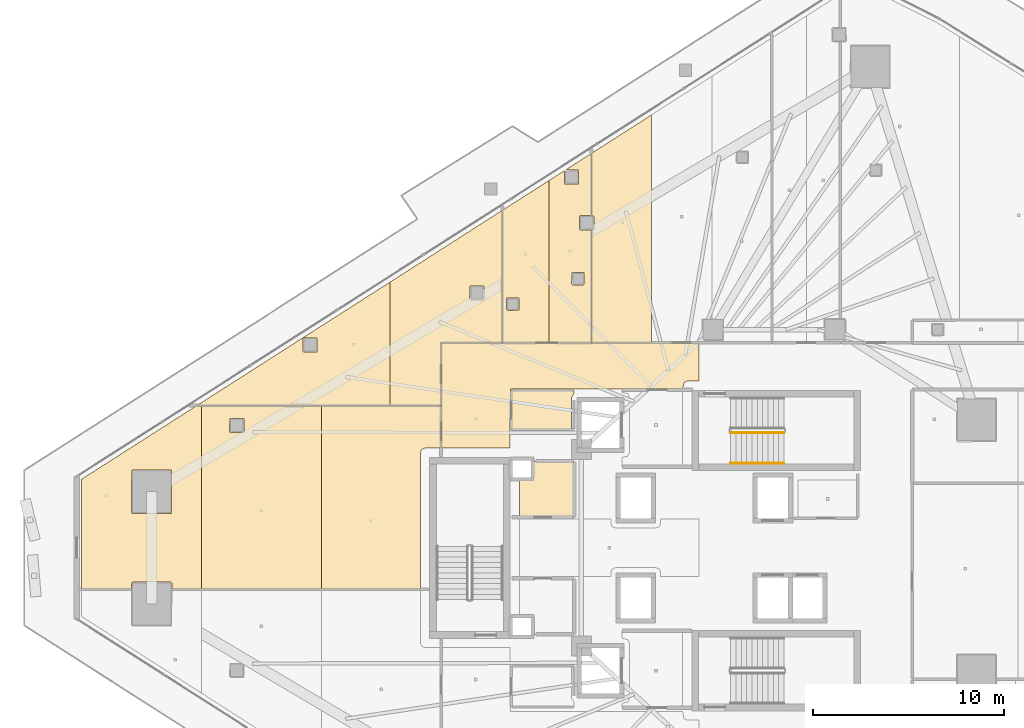
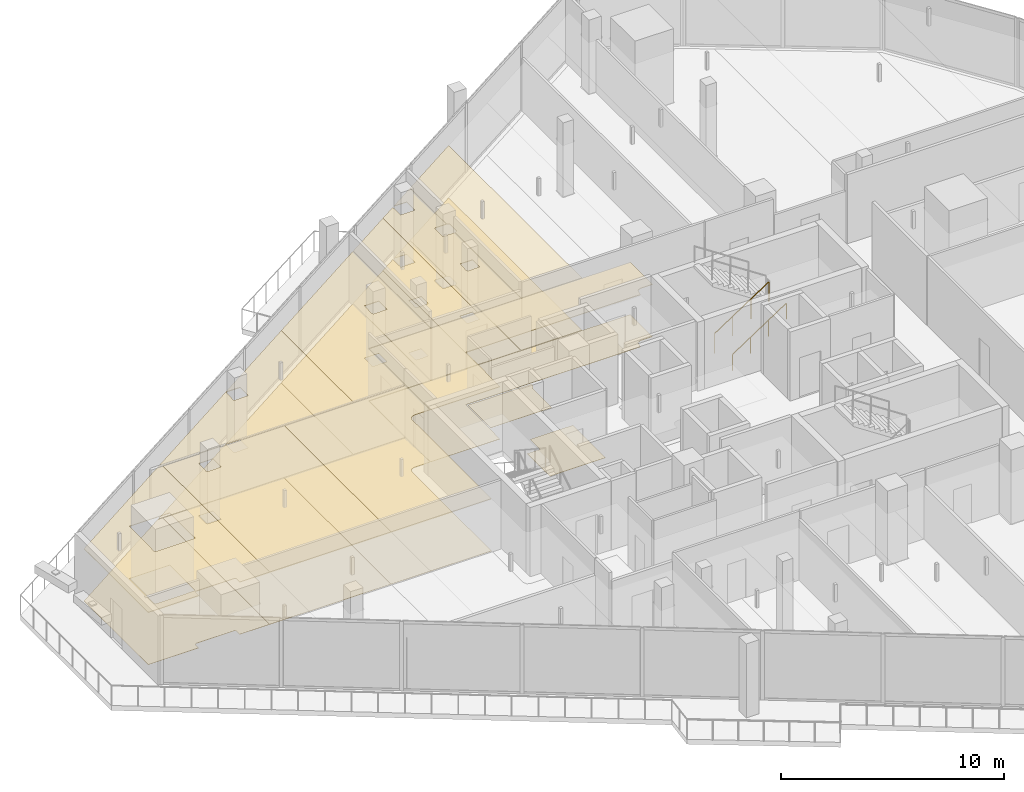
# One storey, part 36 of 39: 20 coverings, 2 railings.
"""IFC4 building model written with IfcOpenShell, lengths in metres."""

from ifc_helpers import new_model, si_unit, direction, frame, origin, origin_2d, place, context, subcontext, project, spatial, polyline, circle, outline, extrude, material, layer, layer_set, type_object, element, save


model = new_model("IFC4")

# Units and contexts
model_context = context("Model", 3, precision=1e-05, world=origin(), true_north=direction((0.0, 1.0)))
body_context = subcontext(model_context, "Body", "Model", "MODEL_VIEW")
ifc_project = project(units=[si_unit("LENGTHUNIT", "METRE"), si_unit("AREAUNIT", "SQUARE_METRE"), si_unit("VOLUMEUNIT", "CUBIC_METRE"), si_unit("PLANEANGLEUNIT", "RADIAN"), si_unit("MASSUNIT", "GRAM", prefix="KILO")], contexts=[model_context])

# Site, building, storey
site_placement = place(None, origin())
site = spatial("IfcSite", under=ifc_project, at=site_placement, CompositionType="ELEMENT")
building_placement = place(site_placement, origin())
building = spatial("IfcBuilding", under=site, at=building_placement, Name="Qorvath Tower", CompositionType="ELEMENT")
storey_placement = place(building_placement, frame((0.0, 0.0, 142.199951171875)))
storey = spatial("IfcBuildingStorey", under=building, at=storey_placement, Name="L32", CompositionType="ELEMENT", Elevation=142.199951171875)

# Coverings
ifc_material_1 = material(Name="Acoustic mineral fibre ceiling tile", Category="gypsum")
ifc_layer_1 = layer(ifc_material_1, 0.030029296875)
ifc_layer_set_1 = layer_set([ifc_layer_1], Name="COV-CEIL")
covering_type_1 = type_object("IfcCoveringType", Name="COV-CEIL", PredefinedType="CEILING", material=ifc_layer_set_1)
covering_1_placement = place(storey_placement, frame((0.0, 0.0, 2.85009765625)))
element("IfcCovering", 1, at=covering_1_placement, inside=storey, type_object=covering_type_1, Name="L32 Suspended Acoustic Ceiling 009", PredefinedType="CEILING", context=body_context, shape_type="SweptSolid", body=[
    extrude(outline(polyline([(-24.32080078125, 8.75), (-24.32080078125, 10.7451171875), (-37.844970703125, 10.7451171875), (-37.844970703125, 5.239990234375), (-34.2509765625, 5.239990234375), (-34.219970703125, 8.324951171875), (-25.18994140625, 8.324951171875), (-25.11669921875, 8.6767578125), (-24.93994140625, 8.75), (-24.32080078125, 8.75)])), origin(), (0.0, 0.0, 1.0), 0.030029296875),
])
covering_2_placement = place(storey_placement, frame((0.0, 0.0, 2.85009765625)))
element("IfcCovering", 2, at=covering_2_placement, inside=storey, type_object=covering_type_1, Name="L32 Suspended Acoustic Ceiling 011", PredefinedType="CEILING", context=body_context, shape_type="SweptSolid", body=[
    extrude(outline(polyline([(-32.213134765625, 10.762939453125), (-32.213134765625, 19.26708984375), (-34.64501953125, 17.715087890625), (-34.64501953125, 10.762939453125), (-32.213134765625, 10.762939453125)]), holes=[polyline([(-34.439208984375, 12.517578125), (-34.421630859375, 13.10986328125), (-33.786865234375, 13.10986328125), (-33.786865234375, 12.47509765625), (-34.379150390625, 12.45751953125), (-34.439208984375, 12.517578125)])]), origin(), (0.0, 0.0, 1.0), 0.030029296875),
])
covering_3_placement = place(storey_placement, frame((0.0, 0.0, 2.85009765625)))
element("IfcCovering", 3, at=covering_3_placement, inside=storey, type_object=covering_type_1, Name="L32 Suspended Acoustic Ceiling 012", PredefinedType="CEILING", context=body_context, shape_type="SweptSolid", body=[
    extrude(outline(polyline([(-31.401123046875, 19.785400390625), (-32.213134765625, 19.26708984375), (-32.213134765625, 10.762939453125), (-29.98388671875, 10.762939453125), (-29.98388671875, 16.674560546875), (-30.59228515625, 16.692138671875), (-30.60986328125, 17.384521484375), (-30.5498046875, 17.444580078125), (-29.98388671875, 17.444580078125), (-29.98388671875, 20.694091796875), (-31.31201171875, 19.845458984375), (-30.648681640625, 19.827880859375), (-30.648681640625, 19.093017578125), (-31.383544921875, 19.093017578125), (-31.401123046875, 19.785400390625)]), holes=[polyline([(-31.01220703125, 13.849365234375), (-30.99462890625, 14.441650390625), (-30.35986328125, 14.441650390625), (-30.35986328125, 13.806884765625), (-30.9521484375, 13.789306640625), (-31.01220703125, 13.849365234375)])]), origin(), (0.0, 0.0, 1.0), 0.030029296875),
])
covering_4_placement = place(storey_placement, frame((0.0, 0.0, 2.85009765625)))
element("IfcCovering", 4, at=covering_4_placement, inside=storey, type_object=covering_type_1, Name="L32 Suspended Acoustic Ceiling 013", PredefinedType="CEILING", context=body_context, shape_type="SweptSolid", body=[
    extrude(outline(polyline([(-26.81201171875, 10.762939453125), (-26.81201171875, 22.72314453125), (-29.9658203125, 20.705810546875), (-29.9658203125, 17.444580078125), (-29.83984375, 17.384521484375), (-29.83984375, 16.734619140625), (-29.9658203125, 16.674560546875), (-29.9658203125, 10.762939453125), (-26.81201171875, 10.762939453125)])), origin(), (0.0, 0.0, 1.0), 0.030029296875),
])
covering_5_placement = place(storey_placement, frame((0.0, 0.0, 2.85009765625)))
element("IfcCovering", 5, at=covering_5_placement, inside=storey, type_object=covering_type_1, Name="L32 Suspended Acoustic Ceiling 043", PredefinedType="CEILING", context=body_context, shape_type="SweptSolid", body=[
    extrude(outline(polyline([(-50.441162109375, -2.15087890625), (-50.441162109375, 7.45458984375), (-50.698974609375, 7.45458984375), (-56.72998046875, 3.599853515625), (-56.72998046875, -2.15087890625), (-54.109375, -2.15087890625), (-54.109375, -1.850830078125), (-54.04931640625, -1.790771484375), (-52.04931640625, -1.790771484375), (-51.989501953125, -1.850830078125), (-51.989501953125, -2.15087890625), (-50.441162109375, -2.15087890625)]), holes=[polyline([(-54.109375, 1.850830078125), (-54.091796875, 4.09326171875), (-52.007080078125, 4.09326171875), (-52.007080078125, 1.808349609375), (-54.04931640625, 1.790771484375), (-54.109375, 1.850830078125)])]), origin(), (0.0, 0.0, 1.0), 0.030029296875),
])
covering_6_placement = place(storey_placement, frame((0.0, 0.0, 2.85009765625)))
element("IfcCovering", 6, at=covering_6_placement, inside=storey, type_object=covering_type_1, Name="L32 Suspended Acoustic Ceiling 044", PredefinedType="CEILING", context=body_context, shape_type="SweptSolid", body=[
    extrude(outline(polyline([(-44.152099609375, -2.15087890625), (-44.152099609375, 7.45458984375), (-50.441162109375, 7.45458984375), (-50.441162109375, -2.15087890625), (-44.152099609375, -2.15087890625)]), holes=[polyline([(-48.96337890625, 6.099609375), (-48.94580078125, 6.7919921875), (-48.2109375, 6.7919921875), (-48.2109375, 6.05712890625), (-48.9033203125, 6.03955078125), (-48.96337890625, 6.099609375)])]), origin(), (0.0, 0.0, 1.0), 0.030029296875),
])
covering_7_placement = place(storey_placement, frame((0.0, 0.0, 2.85009765625)))
element("IfcCovering", 7, at=covering_7_placement, inside=storey, type_object=covering_type_1, Name="L32 Suspended Acoustic Ceiling 045", PredefinedType="CEILING", context=body_context, shape_type="SweptSolid", body=[
    extrude(outline(polyline([(-37.863037109375, 5.239990234375), (-37.863037109375, 7.45458984375), (-44.152099609375, 7.45458984375), (-44.152099609375, -2.15087890625), (-38.949951171875, -2.15087890625), (-38.949951171875, 4.989990234375), (-38.876708984375, 5.166748046875), (-38.699951171875, 5.239990234375), (-37.863037109375, 5.239990234375)])), origin(), (0.0, 0.0, 1.0), 0.030029296875),
])
covering_8_placement = place(storey_placement, frame((0.0, 0.0, 2.85009765625)))
element("IfcCovering", 8, at=covering_8_placement, inside=storey, type_object=covering_type_1, Name="L32 Suspended Acoustic Ceiling 046", PredefinedType="CEILING", context=body_context, shape_type="SweptSolid", body=[
    extrude(outline(polyline([(-40.552734375, 7.47265625), (-40.552734375, 13.939208984375), (-50.6708984375, 7.47265625), (-40.552734375, 7.47265625)]), holes=[polyline([(-45.121337890625, 10.327392578125), (-45.103759765625, 11.019775390625), (-44.368896484375, 11.019775390625), (-44.368896484375, 10.284912109375), (-45.061279296875, 10.267333984375), (-45.121337890625, 10.327392578125)])]), origin(), (0.0, 0.0, 1.0), 0.030029296875),
])
covering_9_placement = place(storey_placement, frame((0.0, 0.0, 2.85009765625)))
element("IfcCovering", 9, at=covering_9_placement, inside=storey, type_object=covering_type_1, Name="L32 Suspended Acoustic Ceiling 047", PredefinedType="CEILING", context=body_context, shape_type="SweptSolid", body=[
    extrude(outline(polyline([(-37.85791015625, 10.762939453125), (-34.6630859375, 10.762939453125), (-34.6630859375, 17.70361328125), (-40.552734375, 13.939208984375), (-40.552734375, 7.47265625), (-37.863037109375, 7.47265625), (-37.85791015625, 10.762939453125)]), holes=[polyline([(-36.36572265625, 13.055908203125), (-36.34814453125, 13.748291015625), (-35.61328125, 13.748291015625), (-35.61328125, 13.013427734375), (-36.3056640625, 12.995849609375), (-36.36572265625, 13.055908203125)])]), origin(), (0.0, 0.0, 1.0), 0.030029296875),
])
ifc_material_2 = material(Name="Low-VOC modular carpet tile", Category="textile")
ifc_layer_2 = layer(ifc_material_2, 0.014892578125)
ifc_layer_set_2 = layer_set([ifc_layer_2], Name="COV-FLOOR-CPT")
covering_type_2 = type_object("IfcCoveringType", Name="COV-FLOOR-CPT", PredefinedType="FLOORING", material=ifc_layer_set_2)
covering_10_placement = place(storey_placement, origin())
element("IfcCovering", 10, at=covering_10_placement, inside=storey, type_object=covering_type_2, Name="L32 Floor Finish 005", PredefinedType="FLOORING", context=body_context, shape_type="SweptSolid", body=[
    extrude(outline(polyline([(-33.760009765625, 3.636962890625), (-33.760009765625, 1.60498046875), (-30.885009765625, 1.60498046875), (-30.885009765625, 4.534912109375), (-33.0869140625, 4.534912109375), (-33.092041015625, 3.636962890625), (-33.760009765625, 3.636962890625)])), origin(), (0.0, 0.0, 1.0), 0.01513671875),
])
covering_11_placement = place(storey_placement, origin())
element("IfcCovering", 11, at=covering_11_placement, inside=storey, type_object=covering_type_2, Name="L32 Floor Finish 011", PredefinedType="FLOORING", context=body_context, shape_type="SweptSolid", body=[
    extrude(outline(polyline([(-32.213134765625, 10.762939453125), (-32.213134765625, 19.26708984375), (-34.64501953125, 17.715087890625), (-34.64501953125, 10.762939453125), (-32.213134765625, 10.762939453125)]), holes=[polyline([(-34.439208984375, 12.517578125), (-34.421630859375, 13.10986328125), (-33.786865234375, 13.10986328125), (-33.786865234375, 12.47509765625), (-34.379150390625, 12.45751953125), (-34.439208984375, 12.517578125)])]), origin(), (0.0, 0.0, 1.0), 0.01513671875),
])
covering_12_placement = place(storey_placement, origin())
element("IfcCovering", 12, at=covering_12_placement, inside=storey, type_object=covering_type_2, Name="L32 Floor Finish 012", PredefinedType="FLOORING", context=body_context, shape_type="SweptSolid", body=[
    extrude(outline(polyline([(-31.401123046875, 19.785400390625), (-32.213134765625, 19.26708984375), (-32.213134765625, 10.762939453125), (-29.98388671875, 10.762939453125), (-29.98388671875, 16.674560546875), (-30.59228515625, 16.692138671875), (-30.60986328125, 17.384521484375), (-30.5498046875, 17.444580078125), (-29.98388671875, 17.444580078125), (-29.98388671875, 20.694091796875), (-31.31201171875, 19.845458984375), (-30.648681640625, 19.827880859375), (-30.648681640625, 19.093017578125), (-31.383544921875, 19.093017578125), (-31.401123046875, 19.785400390625)]), holes=[polyline([(-31.01220703125, 13.849365234375), (-30.99462890625, 14.441650390625), (-30.35986328125, 14.441650390625), (-30.35986328125, 13.806884765625), (-30.9521484375, 13.789306640625), (-31.01220703125, 13.849365234375)])]), origin(), (0.0, 0.0, 1.0), 0.01513671875),
])
covering_13_placement = place(storey_placement, origin())
element("IfcCovering", 13, at=covering_13_placement, inside=storey, type_object=covering_type_2, Name="L32 Floor Finish 013", PredefinedType="FLOORING", context=body_context, shape_type="SweptSolid", body=[
    extrude(outline(polyline([(-26.81201171875, 10.762939453125), (-26.81201171875, 22.72314453125), (-29.9658203125, 20.705810546875), (-29.9658203125, 17.444580078125), (-29.83984375, 17.384521484375), (-29.83984375, 16.734619140625), (-29.9658203125, 16.674560546875), (-29.9658203125, 10.762939453125), (-26.81201171875, 10.762939453125)])), origin(), (0.0, 0.0, 1.0), 0.01513671875),
])
covering_14_placement = place(storey_placement, origin())
element("IfcCovering", 14, at=covering_14_placement, inside=storey, type_object=covering_type_2, Name="L32 Floor Finish 043", PredefinedType="FLOORING", context=body_context, shape_type="SweptSolid", body=[
    extrude(outline(polyline([(-50.441162109375, -2.15087890625), (-50.441162109375, 7.45458984375), (-50.698974609375, 7.45458984375), (-56.72998046875, 3.599853515625), (-56.72998046875, -2.15087890625), (-54.109375, -2.15087890625), (-54.109375, -1.850830078125), (-54.04931640625, -1.790771484375), (-52.04931640625, -1.790771484375), (-51.989501953125, -1.850830078125), (-51.989501953125, -2.15087890625), (-50.441162109375, -2.15087890625)]), holes=[polyline([(-54.109375, 1.850830078125), (-54.091796875, 4.09326171875), (-52.007080078125, 4.09326171875), (-52.007080078125, 1.808349609375), (-54.04931640625, 1.790771484375), (-54.109375, 1.850830078125)])]), origin(), (0.0, 0.0, 1.0), 0.01513671875),
])
covering_15_placement = place(storey_placement, origin())
element("IfcCovering", 15, at=covering_15_placement, inside=storey, type_object=covering_type_2, Name="L32 Floor Finish 044", PredefinedType="FLOORING", context=body_context, shape_type="SweptSolid", body=[
    extrude(outline(polyline([(-44.152099609375, -2.15087890625), (-44.152099609375, 7.45458984375), (-50.441162109375, 7.45458984375), (-50.441162109375, -2.15087890625), (-44.152099609375, -2.15087890625)]), holes=[polyline([(-48.96337890625, 6.099609375), (-48.94580078125, 6.7919921875), (-48.2109375, 6.7919921875), (-48.2109375, 6.05712890625), (-48.9033203125, 6.03955078125), (-48.96337890625, 6.099609375)])]), origin(), (0.0, 0.0, 1.0), 0.01513671875),
])
covering_16_placement = place(storey_placement, origin())
element("IfcCovering", 16, at=covering_16_placement, inside=storey, type_object=covering_type_2, Name="L32 Floor Finish 045", PredefinedType="FLOORING", context=body_context, shape_type="SweptSolid", body=[
    extrude(outline(polyline([(-37.863037109375, 5.239990234375), (-37.863037109375, 7.45458984375), (-44.152099609375, 7.45458984375), (-44.152099609375, -2.15087890625), (-38.949951171875, -2.15087890625), (-38.949951171875, 4.989990234375), (-38.876708984375, 5.166748046875), (-38.699951171875, 5.239990234375), (-37.863037109375, 5.239990234375)])), origin(), (0.0, 0.0, 1.0), 0.01513671875),
])
covering_17_placement = place(storey_placement, origin())
element("IfcCovering", 17, at=covering_17_placement, inside=storey, type_object=covering_type_2, Name="L32 Floor Finish 046", PredefinedType="FLOORING", context=body_context, shape_type="SweptSolid", body=[
    extrude(outline(polyline([(-40.552734375, 7.47265625), (-40.552734375, 13.939208984375), (-50.6708984375, 7.47265625), (-40.552734375, 7.47265625)]), holes=[polyline([(-45.121337890625, 10.327392578125), (-45.103759765625, 11.019775390625), (-44.368896484375, 11.019775390625), (-44.368896484375, 10.284912109375), (-45.061279296875, 10.267333984375), (-45.121337890625, 10.327392578125)])]), origin(), (0.0, 0.0, 1.0), 0.01513671875),
])
covering_18_placement = place(storey_placement, origin())
element("IfcCovering", 18, at=covering_18_placement, inside=storey, type_object=covering_type_2, Name="L32 Floor Finish 047", PredefinedType="FLOORING", context=body_context, shape_type="SweptSolid", body=[
    extrude(outline(polyline([(-37.85791015625, 10.762939453125), (-34.6630859375, 10.762939453125), (-34.6630859375, 17.70361328125), (-40.552734375, 13.939208984375), (-40.552734375, 7.47265625), (-37.863037109375, 7.47265625), (-37.85791015625, 10.762939453125)]), holes=[polyline([(-36.36572265625, 13.055908203125), (-36.34814453125, 13.748291015625), (-35.61328125, 13.748291015625), (-35.61328125, 13.013427734375), (-36.3056640625, 12.995849609375), (-36.36572265625, 13.055908203125)])]), origin(), (0.0, 0.0, 1.0), 0.01513671875),
])
ifc_material_3 = material(Name="Polished epoxy terrazzo flooring", Category="concrete")
ifc_layer_3 = layer(ifc_material_3, 0.02001953125)
ifc_layer_set_3 = layer_set([ifc_layer_3], Name="COV-FLOOR-TRZ")
covering_type_3 = type_object("IfcCoveringType", Name="COV-FLOOR-TRZ", PredefinedType="FLOORING", material=ifc_layer_set_3)
covering_19_placement = place(storey_placement, origin())
element("IfcCovering", 19, at=covering_19_placement, inside=storey, type_object=covering_type_3, Name="L32 Floor Finish 004", PredefinedType="FLOORING", context=body_context, shape_type="SweptSolid", body=[
    extrude(outline(polyline([(-31.010009765625, 6.205078125), (-31.010009765625, 7.909912109375), (-30.885009765625, 8.108154296875), (-30.885009765625, 8.2451171875), (-34.175048828125, 8.2451171875), (-34.175048828125, 6.205078125), (-31.010009765625, 6.205078125)])), origin(), (0.0, 0.0, 1.0), 0.01513671875),
])
covering_20_placement = place(storey_placement, origin())
element("IfcCovering", 20, at=covering_20_placement, inside=storey, type_object=covering_type_3, Name="L32 Floor Finish 009", PredefinedType="FLOORING", context=body_context, shape_type="SweptSolid", body=[
    extrude(outline(polyline([(-24.32080078125, 8.75), (-24.32080078125, 10.7451171875), (-37.844970703125, 10.7451171875), (-37.844970703125, 5.239990234375), (-34.2509765625, 5.239990234375), (-34.219970703125, 8.324951171875), (-25.18994140625, 8.324951171875), (-25.11669921875, 8.6767578125), (-24.93994140625, 8.75), (-24.32080078125, 8.75)])), origin(), (0.0, 0.0, 1.0), 0.01513671875),
])

# Railings
ifc_material_4 = material(Name="Painted galvanised steel", Category="steel")
railing_type_1 = type_object("IfcRailingType", Name="RL-STR-GRD", PredefinedType="GUARDRAIL", material=ifc_material_4)
railing_1_placement = place(storey_placement, frame((-22.669921875, 6.030029296875, 0.18408203125)))
element("IfcRailing", 21, at=railing_1_placement, inside=storey, type_object=railing_type_1, Name="L32 TS1 stair guard 1", PredefinedType="GUARDRAIL", context=body_context, shape_type="SweptSolid", body=[
    extrude(circle(Radius=0.02392578125, at=origin_2d()), frame((0.0, 0.0, 1.076171875), z_axis=(0.835542071712, 0.0, 0.549426470421), x_axis=(0.0, 1.0, 0.0)), (0.0, 0.0, 1.0), 3.350830078125),
    extrude(circle(Radius=0.02099609375, at=origin_2d()), origin(), (0.0, 0.0, 1.0), 1.052001953125),
    extrude(circle(Radius=0.02099609375, at=origin_2d()), frame((0.933349609375, 0.0, 0.61376953125)), (0.0, 0.0, 1.0), 1.052001953125),
    extrude(circle(Radius=0.02099609375, at=origin_2d()), frame((1.866455078125, 0.0, 1.227294921875)), (0.0, 0.0, 1.0), 1.052001953125),
    extrude(circle(Radius=0.02099609375, at=origin_2d()), frame((2.7998046875, 0.0, 1.841064453125)), (0.0, 0.0, 1.0), 1.052001953125),
])
ifc_material_5 = material(Name="Brushed stainless steel AISI 304", Category="steel")
railing_type_2 = type_object("IfcRailingType", Name="RL-STR-HND", PredefinedType="HANDRAIL", material=ifc_material_5)
railing_2_placement = place(storey_placement, frame((-22.669921875, 4.449951171875, 0.18408203125)))
element("IfcRailing", 22, at=railing_2_placement, inside=storey, type_object=railing_type_2, Name="L32 TS1 stair handrail 1", PredefinedType="HANDRAIL", context=body_context, shape_type="SweptSolid", body=[
    extrude(circle(Radius=0.02392578125, at=origin_2d()), frame((0.0, 0.0, 0.8759765625), z_axis=(0.835542071712, 0.0, 0.549426470421), x_axis=(0.0, 1.0, 0.0)), (0.0, 0.0, 1.0), 3.350830078125),
    extrude(circle(Radius=0.02099609375, at=origin_2d()), origin(), (0.0, 0.0, 1.0), 0.851806640625),
    extrude(circle(Radius=0.02099609375, at=origin_2d()), frame((0.933349609375, 0.0, 0.61376953125)), (0.0, 0.0, 1.0), 0.851806640625),
    extrude(circle(Radius=0.02099609375, at=origin_2d()), frame((1.866455078125, 0.0, 1.227294921875)), (0.0, 0.0, 1.0), 0.851806640625),
    extrude(circle(Radius=0.02099609375, at=origin_2d()), frame((2.7998046875, 0.0, 1.841064453125)), (0.0, 0.0, 1.0), 0.851806640625),
])

save(model, "model.ifc")
